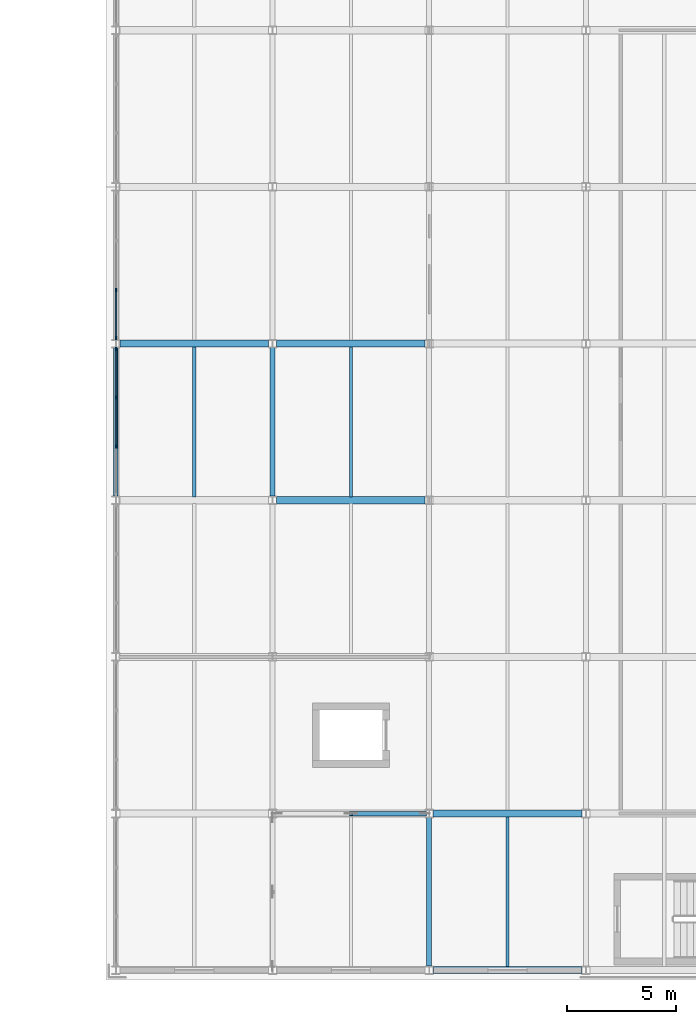
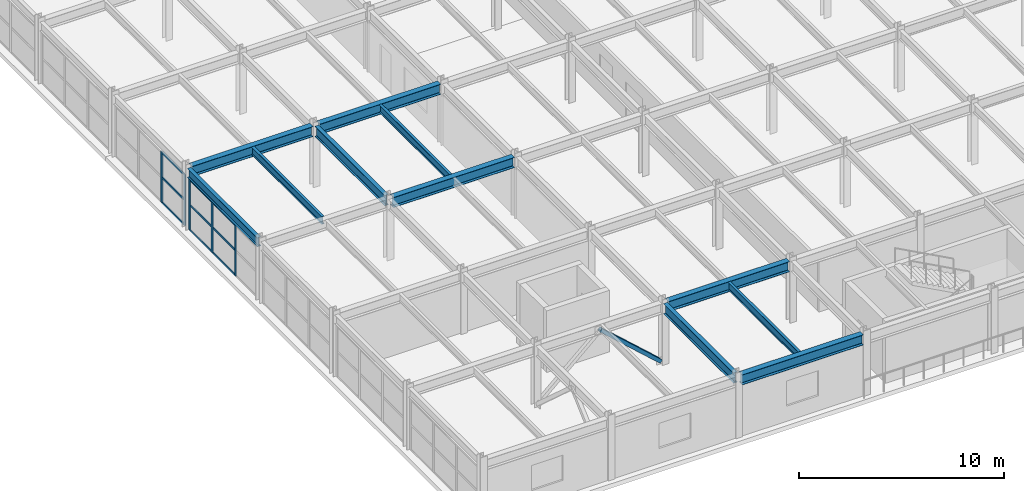
# One storey, part 32 of 93: 15 members, 11 beams, 2 elements without a shape of their own.
"""IFC4 building model written with IfcOpenShell, lengths in metres."""

from ifc_helpers import new_model, si_unit, direction, frame, origin, origin_2d, place, context, subcontext, project, spatial, rectangle, hollow_rectangle, i_section, extrude, material, material_profile, profile_set, type_object, element, aggregate, save


model = new_model("IFC4")

# Units and contexts
model_context = context("Model", 3, precision=1e-05, world=origin(), true_north=direction((0.0, 1.0)))
body_context = subcontext(model_context, "Body", "Model", "MODEL_VIEW")
ifc_project = project(units=[si_unit("LENGTHUNIT", "METRE"), si_unit("AREAUNIT", "SQUARE_METRE"), si_unit("VOLUMEUNIT", "CUBIC_METRE"), si_unit("PLANEANGLEUNIT", "RADIAN"), si_unit("MASSUNIT", "GRAM", prefix="KILO")], contexts=[model_context])

# Site, building, storey
site_placement = place(None, origin())
site = spatial("IfcSite", under=ifc_project, at=site_placement, CompositionType="ELEMENT")
building_placement = place(site_placement, origin())
building = spatial("IfcBuilding", under=site, at=building_placement, Name="Vaelcorin Mobility Hub", CompositionType="ELEMENT")
storey_placement = place(building_placement, frame((0.0, 0.0, 5.39990234375)))
storey = spatial("IfcBuildingStorey", under=building, at=storey_placement, Name="L01", CompositionType="ELEMENT", Elevation=5.39990234375)

# Beams
ifc_material_1 = material(Name="Steel ASTM A992 Grade 50", Category="steel")
ifc_material_profile_1 = material_profile(ifc_material_1, i_section(OverallWidth=0.152099609375, OverallDepth=0.455078125, WebThickness=0.008056640625, FlangeThickness=0.01318359375, FilletRadius=0.012939453125, at=origin_2d()), Name="W18X40")
ifc_profile_set_1 = profile_set([ifc_material_profile_1], Name="Steel ASTM A992 Grade 50")
beam_type_1 = type_object("IfcBeamType", Name="BM-W18X40", PredefinedType="JOIST", material=ifc_profile_set_1)
for number, where, z_axis, x_axis, name in (
    (1, (157.199951171875, 27.760009765625, 3.443115234375), (0.0, 1.0, 0.0), (-1.0, 0.0, 0.0), "L01 Beam V5-L01-J-01-04-1"),
    (2, (164.39990234375, 27.760009765625, 3.443115234375), (0.0, 1.0, 0.0), (-1.0, 0.0, 0.0), "L01 Beam V5-L01-J-02-04-1"),
):
    element("IfcBeam", number, at=place(storey_placement, frame(where, z_axis=z_axis, x_axis=x_axis)), inside=storey, type_object=beam_type_1, Name=name, PredefinedType="JOIST", context=body_context, shape_type="SweptSolid", body=[
        extrude(i_section(OverallWidth=0.152099609375, OverallDepth=0.455078125, WebThickness=0.008056640625, FlangeThickness=0.01318359375, FilletRadius=0.012939453125, at=origin_2d()), origin(), (0.0, 0.0, 1.0), 6.8798828125),
    ])
beam_1_placement = place(storey_placement, frame((171.60009765625, 6.159912109375, 3.443115234375), z_axis=(0.0, 1.0, 0.0), x_axis=(-1.0, 0.0, 0.0)))
element("IfcBeam", 3, at=beam_1_placement, inside=storey, type_object=beam_type_1, Name="L01 Beam V5-L01-J-03-01-1", PredefinedType="JOIST", context=body_context, shape_type="SweptSolid", body=[
    extrude(i_section(OverallWidth=0.152099609375, OverallDepth=0.455078125, WebThickness=0.008056640625, FlangeThickness=0.01318359375, FilletRadius=0.012939453125, at=origin_2d()), origin(), (0.0, 0.0, 1.0), 6.879150390625),
])
ifc_material_profile_2 = material_profile(ifc_material_1, i_section(OverallWidth=0.2099609375, OverallDepth=0.535888671875, WebThickness=0.010986328125, FlangeThickness=0.017333984375, FilletRadius=0.013916015625, at=origin_2d()), Name="W21X68")
ifc_profile_set_2 = profile_set([ifc_material_profile_2], Name="Steel ASTM A992 Grade 50")
beam_type_2 = type_object("IfcBeamType", Name="BM-W21X68", PredefinedType="SPANDREL", material=ifc_profile_set_2)
beam_2_placement = place(storey_placement, frame((153.60009765625, 27.783935546875, 3.402099609375), z_axis=(0.0, 1.0, 0.0), x_axis=(-1.0, 0.0, 0.0)))
element("IfcBeam", 4, at=beam_2_placement, inside=storey, type_object=beam_type_2, Name="L01 Beam V5-L01-GY-01-04", PredefinedType="SPANDREL", context=body_context, shape_type="SweptSolid", body=[
    extrude(i_section(OverallWidth=0.2099609375, OverallDepth=0.535888671875, WebThickness=0.010986328125, FlangeThickness=0.017333984375, FilletRadius=0.013916015625, at=origin_2d()), origin(), (0.0, 0.0, 1.0), 6.83203125),
])
ifc_material_profile_3 = material_profile(ifc_material_1, i_section(OverallWidth=0.324951171875, OverallDepth=0.612060546875, WebThickness=0.0126953125, FlangeThickness=0.01904296875, FilletRadius=0.014892578125, at=origin_2d()), Name="W24X104")
ifc_profile_set_3 = profile_set([ifc_material_profile_3], Name="Steel ASTM A992 Grade 50")
beam_type_3 = type_object("IfcBeamType", Name="BM-W24X104", PredefinedType="BEAM", material=ifc_profile_set_3)
for number, where, z_axis, x_axis, name in (
    (5, (168.18408203125, 6.0, 3.364013671875), (1.0, 0.0, 0.0), (0.0, 1.0, 0.0), "L01 Beam V5-L01-GX-01-03"),
    (6, (168.18408203125, 13.199951171875, 3.364013671875), (1.0, 0.0, 0.0), (0.0, 1.0, 0.0), "L01 Beam V5-L01-GX-02-03"),
):
    element("IfcBeam", number, at=place(storey_placement, frame(where, z_axis=z_axis, x_axis=x_axis)), inside=storey, type_object=beam_type_3, Name=name, PredefinedType="BEAM", context=body_context, shape_type="SweptSolid", body=[
        extrude(i_section(OverallWidth=0.324951171875, OverallDepth=0.612060546875, WebThickness=0.0126953125, FlangeThickness=0.01904296875, FilletRadius=0.014892578125, at=origin_2d()), origin(), (0.0, 0.0, 1.0), 6.830810546875),
    ])
beam_3_placement = place(storey_placement, frame((160.98388671875, 27.60009765625, 3.364013671875), z_axis=(1.0, 0.0, 0.0), x_axis=(0.0, 1.0, 0.0)))
element("IfcBeam", 7, at=beam_3_placement, inside=storey, type_object=beam_type_3, Name="L01 Beam V5-L01-GX-04-02", PredefinedType="BEAM", context=body_context, shape_type="SweptSolid", body=[
    extrude(i_section(OverallWidth=0.324951171875, OverallDepth=0.612060546875, WebThickness=0.0126953125, FlangeThickness=0.01904296875, FilletRadius=0.014892578125, at=origin_2d()), origin(), (0.0, 0.0, 1.0), 6.83203125),
])
beam_4_placement = place(storey_placement, frame((153.783935546875, 34.800048828125, 3.364013671875), z_axis=(1.0, 0.0, 0.0), x_axis=(0.0, 1.0, 0.0)))
element("IfcBeam", 8, at=beam_4_placement, inside=storey, type_object=beam_type_3, Name="L01 Beam V5-L01-GX-05-01", PredefinedType="BEAM", context=body_context, shape_type="SweptSolid", body=[
    extrude(i_section(OverallWidth=0.324951171875, OverallDepth=0.612060546875, WebThickness=0.0126953125, FlangeThickness=0.01904296875, FilletRadius=0.014892578125, at=origin_2d()), origin(), (0.0, 0.0, 1.0), 6.8310546875),
])
beam_5_placement = place(storey_placement, frame((160.98388671875, 34.800048828125, 3.364013671875), z_axis=(1.0, 0.0, 0.0), x_axis=(0.0, 1.0, 0.0)))
element("IfcBeam", 9, at=beam_5_placement, inside=storey, type_object=beam_type_3, Name="L01 Beam V5-L01-GX-05-02", PredefinedType="BEAM", context=body_context, shape_type="SweptSolid", body=[
    extrude(i_section(OverallWidth=0.324951171875, OverallDepth=0.612060546875, WebThickness=0.0126953125, FlangeThickness=0.01904296875, FilletRadius=0.014892578125, at=origin_2d()), origin(), (0.0, 0.0, 1.0), 6.83203125),
])
ifc_material_profile_4 = material_profile(ifc_material_1, i_section(OverallWidth=0.22900390625, OverallDepth=0.612060546875, WebThickness=0.011962890625, FlangeThickness=0.01953125, FilletRadius=0.014892578125, at=origin_2d()), Name="W24X84")
ifc_profile_set_4 = profile_set([ifc_material_profile_4], Name="Steel ASTM A992 Grade 50")
beam_type_4 = type_object("IfcBeamType", Name="BM-W24X84", PredefinedType="BEAM", material=ifc_profile_set_4)
for number, where, z_axis, x_axis, name in (
    (10, (160.800048828125, 27.783935546875, 3.364013671875), (0.0, 1.0, 0.0), (-1.0, 0.0, 0.0), "L01 Beam V5-L01-GY-02-04"),
    (11, (168.0, 6.18408203125, 3.364013671875), (0.0, 1.0, 0.0), (-1.0, 0.0, 0.0), "L01 Beam V5-L01-GY-03-01"),
):
    element("IfcBeam", number, at=place(storey_placement, frame(where, z_axis=z_axis, x_axis=x_axis)), inside=storey, type_object=beam_type_4, Name=name, PredefinedType="BEAM", context=body_context, shape_type="SweptSolid", body=[
        extrude(i_section(OverallWidth=0.22900390625, OverallDepth=0.612060546875, WebThickness=0.011962890625, FlangeThickness=0.01953125, FilletRadius=0.014892578125, at=origin_2d()), origin(), (0.0, 0.0, 1.0), 6.83203125),
    ])

# Member
ifc_material_2 = material(Name="Steel ASTM A500 Grade C", Category="steel")
ifc_material_profile_5 = material_profile(ifc_material_2, hollow_rectangle(XDim=0.203125, YDim=0.203125, WallThickness=0.01171875, at=origin_2d()), Name="HSS8X8X0.500")
ifc_profile_set_5 = profile_set([ifc_material_profile_5], Name="Steel ASTM A500 Grade C")
member_type_1 = type_object("IfcMemberType", Name="BR-SCBF-8X8", PredefinedType="BRACE", material=ifc_profile_set_5)
member_1_placement = place(storey_placement, frame((167.81005859375, 13.199951171875, 0.18017578125), z_axis=(-0.743220060975, 0.0, 0.669047039426), x_axis=(0.0, -1.0, 0.0)))
element("IfcMember", 12, at=member_1_placement, inside=storey, type_object=member_type_1, Name="SCBF Chevron Brace V5-BX1-L01-B", PredefinedType="BRACE", context=body_context, shape_type="SweptSolid", body=[
    extrude(hollow_rectangle(XDim=0.203125, YDim=0.203125, WallThickness=0.01171875, at=origin_2d()), origin(), (0.0, 0.0, 1.0), 4.58837890625),
])

# Curtain wall, members
ifc_material_3 = material(Name="Anodised aluminium 6063-T6", Category="aluminium")
curtain_wall_type = type_object("IfcCurtainWallType", Name="CW-MOB-A", PredefinedType="NOTDEFINED", material=ifc_material_3)
curtain_wall_1_placement = place(storey_placement, origin())
curtain_wall_1 = element("IfcCurtainWall", 13, at=curtain_wall_1_placement, inside=storey, type_object=curtain_wall_type, Name="L01 Curtain Wall CW-V5-L01-WS-04", PredefinedType="NOTDEFINED")
ifc_material_profile_6 = material_profile(ifc_material_3, rectangle(XDim=0.06005859375, YDim=0.159912109375, at=origin_2d()), Name="ALU-M60X160")
ifc_profile_set_6 = profile_set([ifc_material_profile_6], Name="Anodised aluminium 6063-T6")
member_type_2 = type_object("IfcMemberType", Name="CW-MULL-160", PredefinedType="MULLION", material=ifc_profile_set_6)
member_2_placement = place(storey_placement, frame((153.60009765625, 30.0732421875, 0.0), z_axis=(0.0, 0.0, 1.0), x_axis=(-1.0, 0.0, 0.0)))
member_2 = element("IfcMember", 14, at=member_2_placement, type_object=member_type_2, Name="CW7 mullion 2", PredefinedType="MULLION", context=body_context, shape_type="SweptSolid", body=[
    extrude(rectangle(XDim=0.06005859375, YDim=0.159912109375, at=origin_2d()), origin(), (0.0, 0.0, 1.0), 3.043212890625),
])
member_3_placement = place(storey_placement, frame((153.60009765625, 32.32666015625, 0.0), z_axis=(0.0, 0.0, 1.0), x_axis=(-1.0, 0.0, 0.0)))
member_3 = element("IfcMember", 15, at=member_3_placement, type_object=member_type_2, Name="CW7 mullion 3", PredefinedType="MULLION", context=body_context, shape_type="SweptSolid", body=[
    extrude(rectangle(XDim=0.06005859375, YDim=0.159912109375, at=origin_2d()), origin(), (0.0, 0.0, 1.0), 3.043212890625),
])
member_4_placement = place(storey_placement, frame((153.60009765625, 34.550048828125, 0.0), z_axis=(0.0, 0.0, 1.0), x_axis=(-1.0, 0.0, 0.0)))
member_4 = element("IfcMember", 16, at=member_4_placement, type_object=member_type_2, Name="CW7 mullion 4", PredefinedType="MULLION", context=body_context, shape_type="SweptSolid", body=[
    extrude(rectangle(XDim=0.06005859375, YDim=0.159912109375, at=origin_2d()), origin(), (0.0, 0.0, 1.0), 3.043212890625),
])

curtain_wall_2_placement = place(storey_placement, origin())
curtain_wall_2 = element("IfcCurtainWall", 17, at=curtain_wall_2_placement, inside=storey, type_object=curtain_wall_type, Name="L01 Curtain Wall CW-V5-L01-WS-05", PredefinedType="NOTDEFINED")
member_5_placement = place(storey_placement, frame((153.60009765625, 35.050048828125, 0.0), z_axis=(0.0, 0.0, 1.0), x_axis=(-1.0, 0.0, 0.0)))
member_5 = element("IfcMember", 18, at=member_5_placement, type_object=member_type_2, Name="CW7 mullion 1", PredefinedType="MULLION", context=body_context, shape_type="SweptSolid", body=[
    extrude(rectangle(XDim=0.06005859375, YDim=0.159912109375, at=origin_2d()), origin(), (0.0, 0.0, 1.0), 3.043212890625),
])
member_6_placement = place(storey_placement, frame((153.60009765625, 37.2734375, 0.0), z_axis=(0.0, 0.0, 1.0), x_axis=(-1.0, 0.0, 0.0)))
member_6 = element("IfcMember", 19, at=member_6_placement, type_object=member_type_2, Name="CW7 mullion 2", PredefinedType="MULLION", context=body_context, shape_type="SweptSolid", body=[
    extrude(rectangle(XDim=0.06005859375, YDim=0.159912109375, at=origin_2d()), origin(), (0.0, 0.0, 1.0), 3.043212890625),
])

# Member
ifc_material_profile_7 = material_profile(ifc_material_3, rectangle(XDim=0.06005859375, YDim=0.1201171875, at=origin_2d()), Name="ALU-T60X120")
ifc_profile_set_7 = profile_set([ifc_material_profile_7], Name="Anodised aluminium 6063-T6")
member_type_3 = type_object("IfcMemberType", Name="CW-TRAN-140", PredefinedType="USERDEFINED", material=ifc_profile_set_7)
member_7_placement = place(storey_placement, frame((153.60009765625, 30.103271484375, 0.030029296875), z_axis=(0.0, 1.0, 0.0), x_axis=(-1.0, 0.0, 0.0)))
member_7 = element("IfcMember", 20, at=member_7_placement, type_object=member_type_3, Name="CW7 transom 2.1", ObjectType="TRANSOM", PredefinedType="USERDEFINED", context=body_context, shape_type="SweptSolid", body=[
    extrude(rectangle(XDim=0.06005859375, YDim=0.1201171875, at=origin_2d()), origin(), (0.0, 0.0, 1.0), 2.193359375),
])

member_8_placement = place(storey_placement, frame((153.60009765625, 30.103271484375, 1.522216796875), z_axis=(0.0, 1.0, 0.0), x_axis=(-1.0, 0.0, 0.0)))
member_8 = element("IfcMember", 21, at=member_8_placement, type_object=member_type_3, Name="CW7 transom 2.2", ObjectType="TRANSOM", PredefinedType="USERDEFINED", context=body_context, shape_type="SweptSolid", body=[
    extrude(rectangle(XDim=0.06005859375, YDim=0.1201171875, at=origin_2d()), origin(), (0.0, 0.0, 1.0), 2.193359375),
])

member_9_placement = place(storey_placement, frame((153.60009765625, 30.103271484375, 3.01318359375), z_axis=(0.0, 1.0, 0.0), x_axis=(-1.0, 0.0, 0.0)))
member_9 = element("IfcMember", 22, at=member_9_placement, type_object=member_type_3, Name="CW7 transom 2.3", ObjectType="TRANSOM", PredefinedType="USERDEFINED", context=body_context, shape_type="SweptSolid", body=[
    extrude(rectangle(XDim=0.06005859375, YDim=0.1201171875, at=origin_2d()), origin(), (0.0, 0.0, 1.0), 2.193359375),
])

member_10_placement = place(storey_placement, frame((153.60009765625, 32.356689453125, 0.030029296875), z_axis=(0.0, 1.0, 0.0), x_axis=(-1.0, 0.0, 0.0)))
member_10 = element("IfcMember", 23, at=member_10_placement, type_object=member_type_3, Name="CW7 transom 3.1", ObjectType="TRANSOM", PredefinedType="USERDEFINED", context=body_context, shape_type="SweptSolid", body=[
    extrude(rectangle(XDim=0.06005859375, YDim=0.1201171875, at=origin_2d()), origin(), (0.0, 0.0, 1.0), 2.163330078125),
])

member_11_placement = place(storey_placement, frame((153.60009765625, 32.356689453125, 1.522216796875), z_axis=(0.0, 1.0, 0.0), x_axis=(-1.0, 0.0, 0.0)))
member_11 = element("IfcMember", 24, at=member_11_placement, type_object=member_type_3, Name="CW7 transom 3.2", ObjectType="TRANSOM", PredefinedType="USERDEFINED", context=body_context, shape_type="SweptSolid", body=[
    extrude(rectangle(XDim=0.06005859375, YDim=0.1201171875, at=origin_2d()), origin(), (0.0, 0.0, 1.0), 2.163330078125),
])

member_12_placement = place(storey_placement, frame((153.60009765625, 32.356689453125, 3.01318359375), z_axis=(0.0, 1.0, 0.0), x_axis=(-1.0, 0.0, 0.0)))
member_12 = element("IfcMember", 25, at=member_12_placement, type_object=member_type_3, Name="CW7 transom 3.3", ObjectType="TRANSOM", PredefinedType="USERDEFINED", context=body_context, shape_type="SweptSolid", body=[
    extrude(rectangle(XDim=0.06005859375, YDim=0.1201171875, at=origin_2d()), origin(), (0.0, 0.0, 1.0), 2.163330078125),
])

aggregate(curtain_wall_1, [member_2, member_3, member_4, member_7, member_8, member_9, member_10, member_11, member_12])

member_13_placement = place(storey_placement, frame((153.60009765625, 35.080078125, 0.030029296875), z_axis=(0.0, 1.0, 0.0), x_axis=(-1.0, 0.0, 0.0)))
member_13 = element("IfcMember", 26, at=member_13_placement, type_object=member_type_3, Name="CW7 transom 1.1", ObjectType="TRANSOM", PredefinedType="USERDEFINED", context=body_context, shape_type="SweptSolid", body=[
    extrude(rectangle(XDim=0.06005859375, YDim=0.1201171875, at=origin_2d()), origin(), (0.0, 0.0, 1.0), 2.163330078125),
])

member_14_placement = place(storey_placement, frame((153.60009765625, 35.080078125, 1.522216796875), z_axis=(0.0, 1.0, 0.0), x_axis=(-1.0, 0.0, 0.0)))
member_14 = element("IfcMember", 27, at=member_14_placement, type_object=member_type_3, Name="CW7 transom 1.2", ObjectType="TRANSOM", PredefinedType="USERDEFINED", context=body_context, shape_type="SweptSolid", body=[
    extrude(rectangle(XDim=0.06005859375, YDim=0.1201171875, at=origin_2d()), origin(), (0.0, 0.0, 1.0), 2.163330078125),
])

member_15_placement = place(storey_placement, frame((153.60009765625, 35.080078125, 3.01318359375), z_axis=(0.0, 1.0, 0.0), x_axis=(-1.0, 0.0, 0.0)))
member_15 = element("IfcMember", 28, at=member_15_placement, type_object=member_type_3, Name="CW7 transom 1.3", ObjectType="TRANSOM", PredefinedType="USERDEFINED", context=body_context, shape_type="SweptSolid", body=[
    extrude(rectangle(XDim=0.06005859375, YDim=0.1201171875, at=origin_2d()), origin(), (0.0, 0.0, 1.0), 2.163330078125),
])

aggregate(curtain_wall_2, [member_5, member_6, member_13, member_14, member_15])

save(model, "model.ifc")
